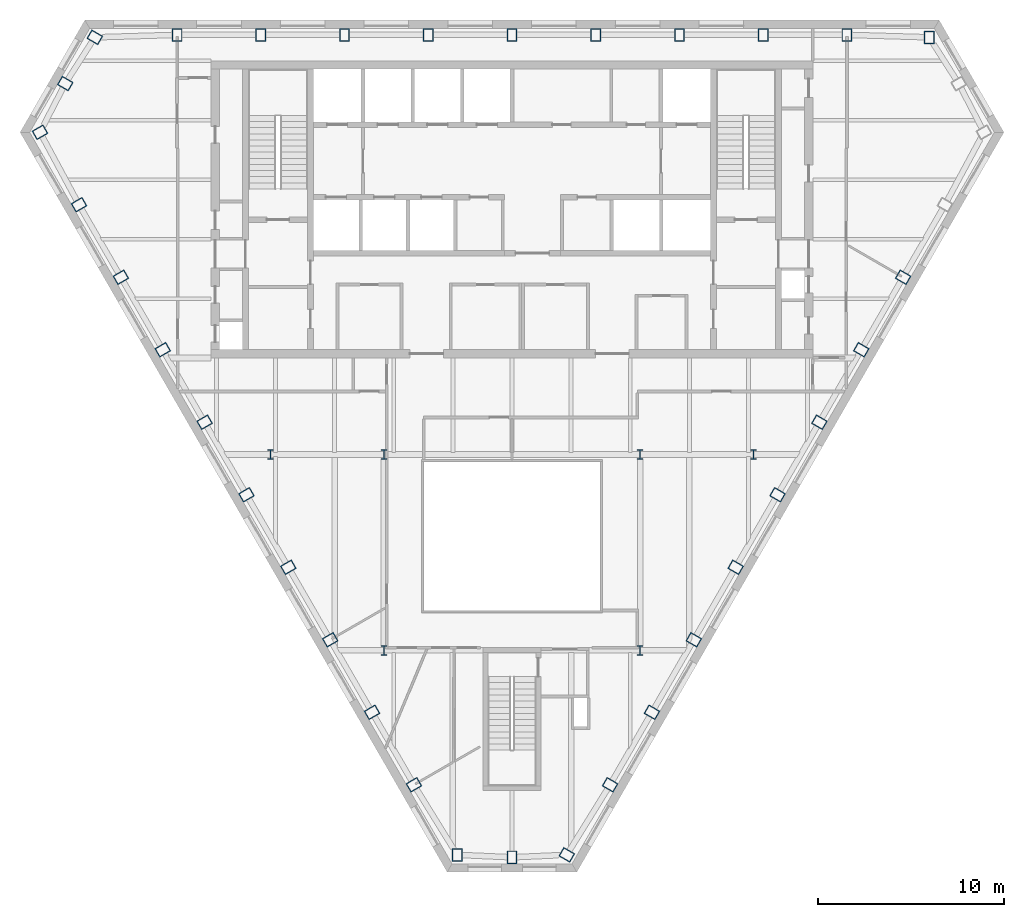
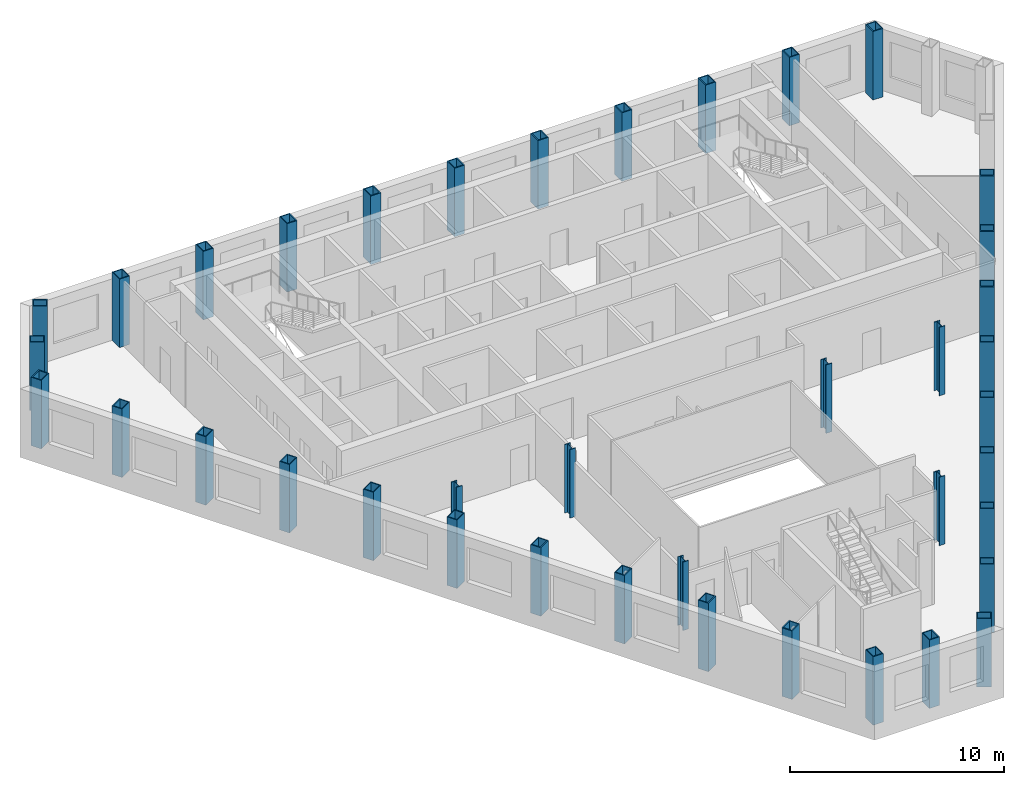
# One storey, part 1 of 11: 39 columns.
"""IFC4 building model written with IfcOpenShell, lengths in metres."""

import ifcopenshell
import ifcopenshell.guid

model = None  # the IFC model being written
_history = None  # IfcOwnerHistory: only IFC2X3 demands one
_inside = {}  # id of a spatial element -> (the spatial element, [elements in it])
_under = {}  # id of a project, library or spatial element -> (it, [spatial elements below it])
_declared = {}  # id of a project -> (the project, [libraries it declares])
_typed = {}  # id of a type object -> (the type object, [elements of that type])
_made_of = {}  # id of a material, layer set ... -> (it, [elements and type objects made of it])


def new_model(schema):
    """Start an empty IFC model of exactly this schema.

    Asked for "IFC4X3", IfcOpenShell would pick the latest addendum, in which some entities
    have other attributes; the version numbers below select the first issue.
    IFC2X3 requires an IfcOwnerHistory on every rooted entity: one is made here for all.
    """
    global model, _history
    if schema == "IFC4X3":
        model = ifcopenshell.file(schema_version=(4, 3, 0, 0))
    else:
        model = ifcopenshell.file(schema=schema)
    _inside.clear()
    _under.clear()
    _declared.clear()
    _typed.clear()
    _made_of.clear()
    _history = None
    if model.schema == "IFC2X3":
        org = make("IfcOrganization", Name="unknown")
        user = make(
            "IfcPersonAndOrganization",
            ThePerson=make("IfcPerson", FamilyName="unknown"),
            TheOrganization=org,
        )
        app = make(
            "IfcApplication",
            ApplicationDeveloper=org,
            Version="unknown",
            ApplicationFullName="unknown",
            ApplicationIdentifier="unknown",
        )
        _history = make(
            "IfcOwnerHistory",
            OwningUser=user,
            OwningApplication=app,
            ChangeAction="ADDED",
            CreationDate=0,
        )
    return model


def make(cls, **values):
    """One entity of the class cls with the attributes given. An attribute that is None is left unset."""
    return model.create_entity(
        cls, **{name: value for name, value in values.items() if value is not None}
    )


def rooted(cls, **values):
    """An entity with a GlobalId (a new one), such as an element, a storey or a relation."""
    return make(cls, GlobalId=ifcopenshell.guid.new(), OwnerHistory=_history, **values)


def si_unit(unit_type, name, prefix=None):
    """IfcSIUnit, for example si_unit("LENGTHUNIT", "METRE", prefix="MILLI")."""
    return make("IfcSIUnit", UnitType=unit_type, Prefix=prefix, Name=name)


def assignment(units):
    """IfcUnitAssignment: the units of a project."""
    return None if units is None else make("IfcUnitAssignment", Units=units)


def point(xyz):
    """IfcCartesianPoint."""
    return None if xyz is None else make("IfcCartesianPoint", Coordinates=xyz)


def direction(xyz):
    """IfcDirection."""
    return None if xyz is None else make("IfcDirection", DirectionRatios=xyz)


def frame(location, z_axis=None, x_axis=None):
    """IfcAxis2Placement3D, a coordinate frame: its origin and axes. An axis left out is left unset."""
    return make(
        "IfcAxis2Placement3D",
        Location=point(location),
        Axis=direction(z_axis),
        RefDirection=direction(x_axis),
    )


def frame_2d(location, x_axis=None):
    """IfcAxis2Placement2D, a coordinate frame in the plane: its origin and x axis."""
    return make(
        "IfcAxis2Placement2D", Location=point(location), RefDirection=direction(x_axis)
    )


def origin():
    """The frame at (0, 0, 0) with its axes left unset."""
    return frame((0.0, 0.0, 0.0))


def origin_2d():
    """The frame at (0, 0) in the plane with its x axis left unset."""
    return frame_2d((0.0, 0.0))


def place(relative_to, where):
    """IfcLocalPlacement: puts the frame where relative to a parent placement (None: the world)."""
    return make(
        "IfcLocalPlacement", PlacementRelTo=relative_to, RelativePlacement=where
    )


def context(
    kind, dimensions, precision=None, world=None, true_north=None, identifier=None
):
    """IfcGeometricRepresentationContext, for example the 3D "Model" context."""
    return make(
        "IfcGeometricRepresentationContext",
        ContextIdentifier=identifier,
        ContextType=kind,
        CoordinateSpaceDimension=dimensions,
        Precision=precision,
        WorldCoordinateSystem=world,
        TrueNorth=true_north,
    )


def subcontext(parent, identifier, kind, view, scale=None):
    """IfcGeometricRepresentationSubContext, for example "Body" below "Model"."""
    return make(
        "IfcGeometricRepresentationSubContext",
        ContextIdentifier=identifier,
        ContextType=kind,
        ParentContext=parent,
        TargetScale=scale,
        TargetView=view,
    )


def project(units=None, contexts=None):
    """IfcProject with its units and contexts."""
    return rooted(
        "IfcProject",
        Name="project",
        RepresentationContexts=contexts,
        UnitsInContext=assignment(units),
    )


def spatial(cls, under=None, at=None, **own):
    """A site, building, storey or space (cls), placed at a placement, below another one or the project."""
    s = rooted(cls, ObjectPlacement=at, **own)
    if under is not None:
        _under.setdefault(under.id(), (under, []))[1].append(s)
    return s


def profile(cls, at=None, kind="AREA", **sizes):
    """A parametric profile (cls). Its sizes go by their IFC names, for example OverallWidth=200.0."""
    return make(cls, ProfileType=kind, Position=at, **sizes)


def hollow_rectangle(**sizes):
    """IfcRectangleHollowProfileDef."""
    return profile("IfcRectangleHollowProfileDef", **sizes)


def i_section(**sizes):
    """IfcIShapeProfileDef."""
    return profile("IfcIShapeProfileDef", **sizes)


def extrude(swept, where, along, depth):
    """IfcExtrudedAreaSolid: the profile swept, set in the frame where, extruded along a direction by depth."""
    return make(
        "IfcExtrudedAreaSolid",
        SweptArea=swept,
        Position=where,
        ExtrudedDirection=direction(along),
        Depth=depth,
    )


def shape(context_of_items, identifier, shape_type, items):
    """IfcShapeRepresentation: the items that make up one representation, for example the "Body"."""
    return make(
        "IfcShapeRepresentation",
        ContextOfItems=context_of_items,
        RepresentationIdentifier=identifier,
        RepresentationType=shape_type,
        Items=items,
    )


def material(Name=None, Category=None):
    """IfcMaterial."""
    return make("IfcMaterial", Name=Name, Category=Category)


def material_profile(
    of_material, cross_section, Name=None, Category=None, Priority=None
):
    """IfcMaterialProfile: a cross section and its material."""
    return make(
        "IfcMaterialProfile",
        Name=Name,
        Material=of_material,
        Profile=cross_section,
        Priority=Priority,
        Category=Category,
    )


def profile_set(profiles, Name=None, composite=None):
    """IfcMaterialProfileSet."""
    return make(
        "IfcMaterialProfileSet",
        Name=Name,
        MaterialProfiles=profiles,
        CompositeProfile=composite,
    )


def made_of(thing, what):
    """Note that an element or type object is made of a material, layer set ...; save() writes the relation."""
    if what is not None:
        _made_of.setdefault(what.id(), (what, []))[1].append(thing)
    return thing


def type_object(cls, material=None, **own):
    """A type object (cls), such as IfcWallType, which elements share."""
    return made_of(rooted(cls, **own), material)


def element(
    cls,
    number,
    at=None,
    inside=None,
    cuts=None,
    type_object=None,
    material=None,
    context=None,
    identifier="Body",
    shape_type=None,
    held_by="IfcProductDefinitionShape",
    body=None,
    shapes=None,
    **own,
):
    """One element of the class cls, such as IfcWall. Its Tag is "e" and its number.

    at: its placement. inside: the storey or other place that contains it. cuts: it is an
    opening in that element (IfcRelVoidsElement). A single representation is given by context,
    identifier, shape_type and body (its items); several are given by shapes. held_by: the class
    of the entity that holds the representations. save() writes the other relations.
    """
    e = rooted(cls, Tag="e%d" % number, ObjectPlacement=at, **own)
    if body is not None:
        shapes = [shape(context, identifier, shape_type, body)]
    if shapes is not None:
        e.Representation = make(held_by, Representations=shapes)
    if inside is not None:
        _inside.setdefault(inside.id(), (inside, []))[1].append(e)
    if cuts is not None:
        rooted(
            "IfcRelVoidsElement", RelatingBuildingElement=cuts, RelatedOpeningElement=e
        )
    if type_object is not None:
        _typed.setdefault(type_object.id(), (type_object, []))[1].append(e)
    return made_of(e, material)


def aggregate(whole, parts):
    """IfcRelAggregates: a whole, such as a stair, and the parts it consists of."""
    return rooted("IfcRelAggregates", RelatingObject=whole, RelatedObjects=parts)


def save(model, path):
    """Write the relations noted so far, then the file.

    IfcRelAggregates (storeys below a building ...), IfcRelContainedInSpatialStructure (elements
    in a storey), IfcRelDefinesByType, IfcRelAssociatesMaterial and IfcRelDeclares: one each for
    every whole, place, type object, material and project.
    """
    for whole, parts in _under.values():
        aggregate(whole, parts)
    for where, things in _inside.values():
        rooted(
            "IfcRelContainedInSpatialStructure",
            RelatedElements=things,
            RelatingStructure=where,
        )
    for kind, things in _typed.values():
        rooted("IfcRelDefinesByType", RelatedObjects=things, RelatingType=kind)
    for what, things in _made_of.values():
        rooted("IfcRelAssociatesMaterial", RelatedObjects=things, RelatingMaterial=what)
    for by, libraries in _declared.values():
        rooted("IfcRelDeclares", RelatingContext=by, RelatedDefinitions=libraries)
    model.write(path)


model = new_model("IFC4")

# Units and contexts
model_context = context("Model", 3, precision=1e-05, world=origin(), true_north=direction((0.0, 1.0)))
body_context = subcontext(model_context, "Body", "Model", "MODEL_VIEW")
ifc_project = project(units=[si_unit("LENGTHUNIT", "METRE"), si_unit("AREAUNIT", "SQUARE_METRE"), si_unit("VOLUMEUNIT", "CUBIC_METRE"), si_unit("PLANEANGLEUNIT", "RADIAN"), si_unit("MASSUNIT", "GRAM", prefix="KILO")], contexts=[model_context])

# Site, building, storey
site_placement = place(None, origin())
site = spatial("IfcSite", under=ifc_project, at=site_placement, CompositionType="ELEMENT")
building_placement = place(site_placement, origin())
building = spatial("IfcBuilding", under=site, at=building_placement, Name="Njiva Tower", CompositionType="ELEMENT")
storey_placement = place(building_placement, frame((0.0, 0.0, 219.9)))
storey = spatial("IfcBuildingStorey", under=building, at=storey_placement, Name="L49", CompositionType="ELEMENT", Elevation=219.9)

# Columns
ifc_material = material(Name="Steel S355 J2", Category="steel")
ifc_material_profile_1 = material_profile(ifc_material, hollow_rectangle(XDim=0.55, YDim=0.7, WallThickness=0.05, at=origin_2d()), Name="BOX 700x550x50")
ifc_profile_set_1 = profile_set([ifc_material_profile_1], Name="Steel S355 J2")
column_type_1 = type_object("IfcColumnType", Name="C11 Perimeter tube column BOX 700x550x50", PredefinedType="COLUMN", material=ifc_profile_set_1)
for number, where, z_axis, x_axis, name in (
    (1, (22.466, 19.267, 0.0), (0.0, 0.0, 1.0), (-1.0, 0.0, 0.0), "Perimeter tube column S16-C01"),
    (2, (18.034, 19.4, 0.0), (0.0, 0.0, 1.0), (-1.0, 0.0, 0.0), "Perimeter tube column S16-C02"),
    (3, (13.526, 19.4, 0.0), (0.0, 0.0, 1.0), (-1.0, 0.0, 0.0), "Perimeter tube column S16-C03"),
    (4, (9.017, 19.4, 0.0), (0.0, 0.0, 1.0), (-1.0, 0.0, 0.0), "Perimeter tube column S16-C04"),
    (5, (4.509, 19.4, 0.0), (0.0, 0.0, 1.0), (-1.0, 0.0, 0.0), "Perimeter tube column S16-C05"),
    (6, (0.0, 19.4, 0.0), (0.0, 0.0, 1.0), (-1.0, 0.0, 0.0), "Perimeter tube column S16-C06"),
    (7, (-4.509, 19.4, 0.0), (0.0, 0.0, 1.0), (-1.0, 0.0, 0.0), "Perimeter tube column S16-C07"),
    (8, (-9.017, 19.4, 0.0), (0.0, 0.0, 1.0), (-1.0, 0.0, 0.0), "Perimeter tube column S16-C08"),
    (9, (-13.526, 19.4, 0.0), (0.0, 0.0, 1.0), (-1.0, 0.0, 0.0), "Perimeter tube column S16-C09"),
    (10, (-18.034, 19.4, 0.0), (0.0, 0.0, 1.0), (-1.0, 0.0, 0.0), "Perimeter tube column S16-C10"),
    (11, (-22.466, 19.267, 0.0), (0.0, 0.0, 1.0), (-0.5, -0.866025403784, 0.0), "Perimeter tube column S16-C11"),
    (12, (-24.057, 16.778, 0.0), (0.0, 0.0, 1.0), (-0.5, -0.866025403784, 0.0), "Perimeter tube column S16-C12"),
    (13, (-25.418, 14.155, 0.0), (0.0, 0.0, 1.0), (0.5, -0.866025403784, 0.0), "Perimeter tube column S16-C13"),
    (14, (-23.317, 10.251, 0.0), (0.0, 0.0, 1.0), (0.5, -0.866025403784, 0.0), "Perimeter tube column S16-C14"),
    (15, (-21.063, 6.346, 0.0), (0.0, 0.0, 1.0), (0.5, -0.866025403784, 0.0), "Perimeter tube column S16-C15"),
    (16, (-18.808, 2.441, 0.0), (0.0, 0.0, 1.0), (0.5, -0.866025403784, 0.0), "Perimeter tube column S16-C16"),
    (17, (-16.554, -1.463, 0.0), (0.0, 0.0, 1.0), (0.5, -0.866025403784, 0.0), "Perimeter tube column S16-C17"),
    (18, (-14.3, -5.368, 0.0), (0.0, 0.0, 1.0), (0.5, -0.866025403784, 0.0), "Perimeter tube column S16-C18"),
    (19, (-12.045, -9.272, 0.0), (0.0, 0.0, 1.0), (0.5, -0.866025403784, 0.0), "Perimeter tube column S16-C19"),
    (20, (-9.791, -13.177, 0.0), (0.0, 0.0, 1.0), (0.5, -0.866025403784, 0.0), "Perimeter tube column S16-C20"),
    (21, (-7.537, -17.082, 0.0), (0.0, 0.0, 1.0), (0.5, -0.866025403784, 0.0), "Perimeter tube column S16-C21"),
    (22, (-5.282, -20.986, 0.0), (0.0, 0.0, 1.0), (0.5, -0.866025403784, 0.0), "Perimeter tube column S16-C22"),
    (23, (-2.951, -24.758, 0.0), (0.0, 0.0, 1.0), (1.0, 0.0, 0.0), "Perimeter tube column S16-C23"),
    (24, (0.0, -24.891, 0.0), (0.0, 0.0, 1.0), (1.0, 0.0, 0.0), "Perimeter tube column S16-C24"),
    (25, (2.951, -24.758, 0.0), (0.0, 0.0, 1.0), (0.5, 0.866025403784, 0.0), "Perimeter tube column S16-C25"),
    (26, (5.282, -20.986, 0.0), (0.0, 0.0, 1.0), (0.5, 0.866025403784, 0.0), "Perimeter tube column S16-C26"),
    (27, (7.537, -17.082, 0.0), (0.0, 0.0, 1.0), (0.5, 0.866025403784, 0.0), "Perimeter tube column S16-C27"),
    (28, (9.791, -13.177, 0.0), (0.0, 0.0, 1.0), (0.5, 0.866025403784, 0.0), "Perimeter tube column S16-C28"),
    (29, (12.045, -9.272, 0.0), (0.0, 0.0, 1.0), (0.5, 0.866025403784, 0.0), "Perimeter tube column S16-C29"),
    (30, (14.3, -5.368, 0.0), (0.0, 0.0, 1.0), (0.5, 0.866025403784, 0.0), "Perimeter tube column S16-C30"),
    (31, (16.554, -1.463, 0.0), (0.0, 0.0, 1.0), (0.5, 0.866025403784, 0.0), "Perimeter tube column S16-C31"),
    (32, (18.808, 2.441, 0.0), (0.0, 0.0, 1.0), (0.5, 0.866025403784, 0.0), "Perimeter tube column S16-C32"),
    (33, (21.063, 6.346, 0.0), (0.0, 0.0, 1.0), (0.5, 0.866025403784, 0.0), "Perimeter tube column S16-C33"),
):
    element("IfcColumn", number, at=place(storey_placement, frame(where, z_axis=z_axis, x_axis=x_axis)), inside=storey, type_object=column_type_1, Name=name, PredefinedType="COLUMN", context=body_context, shape_type="SweptSolid", body=[
        extrude(hollow_rectangle(XDim=0.55, YDim=0.7, WallThickness=0.05, at=origin_2d()), origin(), (0.0, 0.0, 1.0), 3.9),
    ])
ifc_material_profile_2 = material_profile(ifc_material, i_section(OverallWidth=0.306, OverallDepth=0.524, WebThickness=0.021, FlangeThickness=0.04, at=origin_2d()), Name="HEM 500")
ifc_profile_set_2 = profile_set([ifc_material_profile_2], Name="Steel S355 J2")
column_type_2 = type_object("IfcColumnType", Name="C12 Interior column HEM 500", PredefinedType="COLUMN", material=ifc_profile_set_2)
for number, where, z_axis, x_axis, name in (
    (34, (6.9, -3.2, 0.0), (0.0, 0.0, 1.0), (1.0, 0.0, 0.0), "Interior column S16-C37"),
    (35, (-6.9, -3.2, 0.0), (0.0, 0.0, 1.0), (1.0, 0.0, 0.0), "Interior column S16-C38"),
    (36, (6.9, -13.75, 0.0), (0.0, 0.0, 1.0), (1.0, 0.0, 0.0), "Interior column S16-C39"),
    (37, (-6.9, -13.75, 0.0), (0.0, 0.0, 1.0), (1.0, 0.0, 0.0), "Interior column S16-C40"),
    (38, (13.0, -3.2, 0.0), (0.0, 0.0, 1.0), (1.0, 0.0, 0.0), "Interior column S16-C41"),
    (39, (-13.0, -3.2, 0.0), (0.0, 0.0, 1.0), (1.0, 0.0, 0.0), "Interior column S16-C42"),
):
    element("IfcColumn", number, at=place(storey_placement, frame(where, z_axis=z_axis, x_axis=x_axis)), inside=storey, type_object=column_type_2, Name=name, PredefinedType="COLUMN", context=body_context, shape_type="SweptSolid", body=[
        extrude(i_section(OverallWidth=0.306, OverallDepth=0.524, WebThickness=0.021, FlangeThickness=0.04, at=origin_2d()), origin(), (0.0, 0.0, 1.0), 3.9),
    ])

save(model, "model.ifc")
